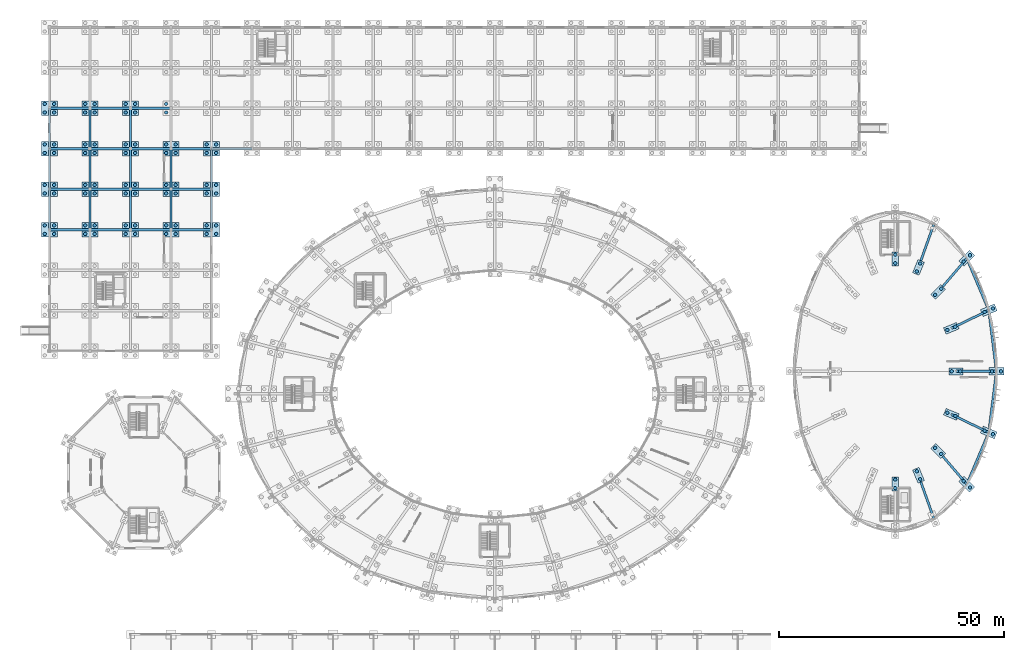
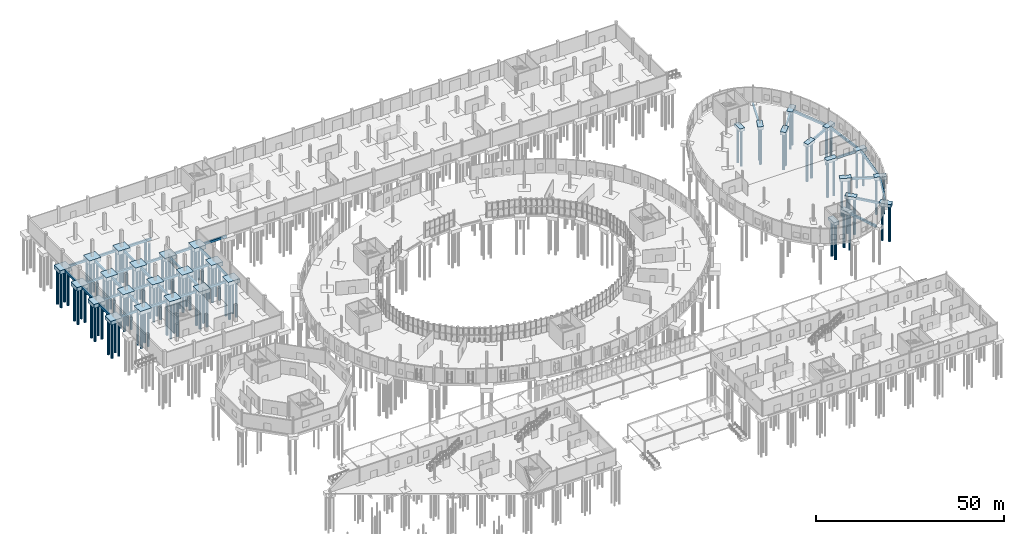
# One storey, part 9 of 118: 102 piles, 72 footings.
"""IFC4 building model written with IfcOpenShell, lengths in metres."""

from ifc_helpers import new_model, si_unit, direction, frame, origin, origin_2d, place, context, subcontext, project, spatial, rectangle, circle, extrude, material, material_profile, profile_set, type_object, element, save


model = new_model("IFC4")

# Units and contexts
model_context = context("Model", 3, precision=1e-05, world=origin(), true_north=direction((0.0, 1.0)))
body_context = subcontext(model_context, "Body", "Model", "MODEL_VIEW")
ifc_project = project(units=[si_unit("LENGTHUNIT", "METRE"), si_unit("AREAUNIT", "SQUARE_METRE"), si_unit("VOLUMEUNIT", "CUBIC_METRE"), si_unit("PLANEANGLEUNIT", "RADIAN"), si_unit("MASSUNIT", "GRAM", prefix="KILO")], contexts=[model_context])

# Site, building, storey
site_placement = place(None, origin())
site = spatial("IfcSite", under=ifc_project, at=site_placement, CompositionType="ELEMENT")
building_placement = place(site_placement, origin())
building = spatial("IfcBuilding", under=site, at=building_placement, Name="Kildeholm Park Wholesale Market", CompositionType="ELEMENT")
storey_placement = place(building_placement, origin())
storey = spatial("IfcBuildingStorey", under=building, at=storey_placement, Name="L00", CompositionType="ELEMENT", Elevation=0.0)

# Piles
ifc_material = material(Name="Concrete C35/45", Category="concrete")
ifc_material_profile_1 = material_profile(ifc_material, circle(Radius=0.375, at=origin_2d()), Name="PILE D750")
ifc_profile_set_1 = profile_set([ifc_material_profile_1], Name="Concrete C35/45")
pile_type = type_object("IfcPileType", Name="Bored pile 750 mm", PredefinedType="BORED", material=ifc_profile_set_1)
for number, where, z_axis, x_axis, name in (
    (1, (200.550048828125, 94.5, -0.89990234375), (0.0, 0.0, -1.0), (1.0, 0.0, 0.0), "Bored pile V2-IN-00.1 PIL-0313"),
    (2, (202.449951171875, 94.5, -0.89990234375), (0.0, 0.0, -1.0), (1.0, 0.0, 0.0), "Bored pile V2-IN-00.2 PIL-0314"),
):
    element("IfcPile", number, at=place(storey_placement, frame(where, z_axis=z_axis, x_axis=x_axis)), inside=storey, type_object=pile_type, Name=name, PredefinedType="BORED", context=body_context, shape_type="SweptSolid", body=[
        extrude(circle(Radius=0.375, at=origin_2d()), origin(), (0.0, 0.0, 1.0), 11.60009765625),
    ])
for number, where, z_axis, x_axis, name in (
    (3, (209.5, 94.5, -0.949951171875), (0.0, 0.0, -1.0), (1.0, 0.0, 0.0), "Bored pile V2-OT-00.1 PIL-0315"),
    (4, (211.5, 94.5, -0.949951171875), (0.0, 0.0, -1.0), (1.0, 0.0, 0.0), "Bored pile V2-OT-00.2 PIL-0316"),
):
    element("IfcPile", number, at=place(storey_placement, frame(where, z_axis=z_axis, x_axis=x_axis)), inside=storey, type_object=pile_type, Name=name, PredefinedType="BORED", context=body_context, shape_type="SweptSolid", body=[
        extrude(circle(Radius=0.375, at=origin_2d()), origin(), (0.0, 0.0, 1.0), 11.550048828125),
    ])
for number, where, z_axis, x_axis, name in (
    (5, (199.59423828125, 103.70361328125, -0.89990234375), (0.0, 0.0, -1.0), (1.0, 0.0, 0.0), "Bored pile V2-IN-01.1 PIL-0317"),
    (6, (201.349609375, 104.430419921875, -0.89990234375), (0.0, 0.0, -1.0), (1.0, 0.0, 0.0), "Bored pile V2-IN-01.2 PIL-0318"),
):
    element("IfcPile", number, at=place(storey_placement, frame(where, z_axis=z_axis, x_axis=x_axis)), inside=storey, type_object=pile_type, Name=name, PredefinedType="BORED", context=body_context, shape_type="SweptSolid", body=[
        extrude(circle(Radius=0.375, at=origin_2d()), origin(), (0.0, 0.0, 1.0), 11.60009765625),
    ])
for number, where, z_axis, x_axis, name in (
    (7, (207.863037109375, 107.702392578125, -0.949951171875), (0.0, 0.0, -1.0), (1.0, 0.0, 0.0), "Bored pile V2-OT-01.1 PIL-0319"),
    (8, (209.7109375, 108.4677734375, -0.949951171875), (0.0, 0.0, -1.0), (1.0, 0.0, 0.0), "Bored pile V2-OT-01.2 PIL-0320"),
):
    element("IfcPile", number, at=place(storey_placement, frame(where, z_axis=z_axis, x_axis=x_axis)), inside=storey, type_object=pile_type, Name=name, PredefinedType="BORED", context=body_context, shape_type="SweptSolid", body=[
        extrude(circle(Radius=0.375, at=origin_2d()), origin(), (0.0, 0.0, 1.0), 11.550048828125),
    ])
for number, where, z_axis, x_axis, name in (
    (9, (196.874267578125, 111.506103515625, -0.89990234375), (0.0, 0.0, -1.0), (1.0, 0.0, 0.0), "Bored pile V2-IN-02.1 PIL-0321"),
    (10, (198.2177734375, 112.849853515625, -0.89990234375), (0.0, 0.0, -1.0), (1.0, 0.0, 0.0), "Bored pile V2-IN-02.2 PIL-0322"),
):
    element("IfcPile", number, at=place(storey_placement, frame(where, z_axis=z_axis, x_axis=x_axis)), inside=storey, type_object=pile_type, Name=name, PredefinedType="BORED", context=body_context, shape_type="SweptSolid", body=[
        extrude(circle(Radius=0.375, at=origin_2d()), origin(), (0.0, 0.0, 1.0), 11.60009765625),
    ])
for number, where, z_axis, x_axis, name in (
    (11, (203.202880859375, 118.89501953125, -0.949951171875), (0.0, 0.0, -1.0), (1.0, 0.0, 0.0), "Bored pile V2-OT-02.1 PIL-0323"),
    (12, (204.6171875, 120.30908203125, -0.949951171875), (0.0, 0.0, -1.0), (1.0, 0.0, 0.0), "Bored pile V2-OT-02.2 PIL-0324"),
):
    element("IfcPile", number, at=place(storey_placement, frame(where, z_axis=z_axis, x_axis=x_axis)), inside=storey, type_object=pile_type, Name=name, PredefinedType="BORED", context=body_context, shape_type="SweptSolid", body=[
        extrude(circle(Radius=0.375, at=origin_2d()), origin(), (0.0, 0.0, 1.0), 11.550048828125),
    ])
for number, where, z_axis, x_axis, name in (
    (13, (192.802490234375, 116.71923828125, -0.89990234375), (0.0, 0.0, -1.0), (1.0, 0.0, 0.0), "Bored pile V2-IN-03.1 PIL-0325"),
    (14, (193.529541015625, 118.474609375, -0.89990234375), (0.0, 0.0, -1.0), (1.0, 0.0, 0.0), "Bored pile V2-IN-03.2 PIL-0326"),
    (15, (188.0, 118.550048828125, -0.89990234375), (0.0, 0.0, -1.0), (1.0, 0.0, 0.0), "Bored pile V2-IN-04.1 PIL-0329"),
    (16, (188.0, 120.449951171875, -0.89990234375), (0.0, 0.0, -1.0), (1.0, 0.0, 0.0), "Bored pile V2-IN-04.2 PIL-0330"),
    (17, (188.0, 70.449951171875, -0.89990234375), (0.0, 0.0, -1.0), (1.0, 0.0, 0.0), "Bored pile V2-IN-12.1 PIL-0361"),
    (18, (188.0, 68.550048828125, -0.89990234375), (0.0, 0.0, -1.0), (1.0, 0.0, 0.0), "Bored pile V2-IN-12.2 PIL-0362"),
    (19, (192.802490234375, 72.28076171875, -0.89990234375), (0.0, 0.0, -1.0), (1.0, 0.0, 0.0), "Bored pile V2-IN-13.1 PIL-0365"),
    (20, (193.529541015625, 70.525390625, -0.89990234375), (0.0, 0.0, -1.0), (1.0, 0.0, 0.0), "Bored pile V2-IN-13.2 PIL-0366"),
    (21, (196.874267578125, 77.493896484375, -0.89990234375), (0.0, 0.0, -1.0), (1.0, 0.0, 0.0), "Bored pile V2-IN-14.1 PIL-0369"),
    (22, (198.2177734375, 76.150146484375, -0.89990234375), (0.0, 0.0, -1.0), (1.0, 0.0, 0.0), "Bored pile V2-IN-14.2 PIL-0370"),
):
    element("IfcPile", number, at=place(storey_placement, frame(where, z_axis=z_axis, x_axis=x_axis)), inside=storey, type_object=pile_type, Name=name, PredefinedType="BORED", context=body_context, shape_type="SweptSolid", body=[
        extrude(circle(Radius=0.375, at=origin_2d()), origin(), (0.0, 0.0, 1.0), 11.60009765625),
    ])
for number, where, z_axis, x_axis, name in (
    (23, (203.202880859375, 70.10498046875, -0.949951171875), (0.0, 0.0, -1.0), (1.0, 0.0, 0.0), "Bored pile V2-OT-14.1 PIL-0371"),
    (24, (204.6171875, 68.69091796875, -0.949951171875), (0.0, 0.0, -1.0), (1.0, 0.0, 0.0), "Bored pile V2-OT-14.2 PIL-0372"),
):
    element("IfcPile", number, at=place(storey_placement, frame(where, z_axis=z_axis, x_axis=x_axis)), inside=storey, type_object=pile_type, Name=name, PredefinedType="BORED", context=body_context, shape_type="SweptSolid", body=[
        extrude(circle(Radius=0.375, at=origin_2d()), origin(), (0.0, 0.0, 1.0), 11.550048828125),
    ])
for number, where, z_axis, x_axis, name in (
    (25, (199.59423828125, 85.29638671875, -0.89990234375), (0.0, 0.0, -1.0), (1.0, 0.0, 0.0), "Bored pile V2-IN-15.1 PIL-0373"),
    (26, (201.349609375, 84.569580078125, -0.89990234375), (0.0, 0.0, -1.0), (1.0, 0.0, 0.0), "Bored pile V2-IN-15.2 PIL-0374"),
):
    element("IfcPile", number, at=place(storey_placement, frame(where, z_axis=z_axis, x_axis=x_axis)), inside=storey, type_object=pile_type, Name=name, PredefinedType="BORED", context=body_context, shape_type="SweptSolid", body=[
        extrude(circle(Radius=0.375, at=origin_2d()), origin(), (0.0, 0.0, 1.0), 11.60009765625),
    ])
for number, where, z_axis, x_axis, name in (
    (27, (207.863037109375, 81.297607421875, -0.949951171875), (0.0, 0.0, -1.0), (1.0, 0.0, 0.0), "Bored pile V2-OT-15.1 PIL-0375"),
    (28, (209.7109375, 80.5322265625, -0.949951171875), (0.0, 0.0, -1.0), (1.0, 0.0, 0.0), "Bored pile V2-OT-15.2 PIL-0376"),
):
    element("IfcPile", number, at=place(storey_placement, frame(where, z_axis=z_axis, x_axis=x_axis)), inside=storey, type_object=pile_type, Name=name, PredefinedType="BORED", context=body_context, shape_type="SweptSolid", body=[
        extrude(circle(Radius=0.375, at=origin_2d()), origin(), (0.0, 0.0, 1.0), 11.550048828125),
    ])
for number, where, z_axis, x_axis, name in (
    (29, (-1.050048828125, 125.050048828125, -1.14990234375), (0.0, 0.0, -1.0), (1.0, 0.0, 0.0), "Bored pile V4-000-126.1 PIL-0437"),
    (30, (1.050048828125, 125.050048828125, -1.14990234375), (0.0, 0.0, -1.0), (1.0, 0.0, 0.0), "Bored pile V4-000-126.2 PIL-0438"),
    (31, (-1.050048828125, 126.949951171875, -1.14990234375), (0.0, 0.0, -1.0), (1.0, 0.0, 0.0), "Bored pile V4-000-126.3 PIL-0439"),
    (32, (1.050048828125, 126.949951171875, -1.14990234375), (0.0, 0.0, -1.0), (1.0, 0.0, 0.0), "Bored pile V4-000-126.4 PIL-0440"),
    (33, (-1.050048828125, 134.050048828125, -1.14990234375), (0.0, 0.0, -1.0), (1.0, 0.0, 0.0), "Bored pile V4-000-135.1 PIL-0441"),
    (34, (1.050048828125, 134.050048828125, -1.14990234375), (0.0, 0.0, -1.0), (1.0, 0.0, 0.0), "Bored pile V4-000-135.2 PIL-0442"),
    (35, (-1.050048828125, 135.949951171875, -1.14990234375), (0.0, 0.0, -1.0), (1.0, 0.0, 0.0), "Bored pile V4-000-135.3 PIL-0443"),
    (36, (1.050048828125, 135.949951171875, -1.14990234375), (0.0, 0.0, -1.0), (1.0, 0.0, 0.0), "Bored pile V4-000-135.4 PIL-0444"),
    (37, (-1.050048828125, 143.050048828125, -1.14990234375), (0.0, 0.0, -1.0), (1.0, 0.0, 0.0), "Bored pile V4-000-144.1 PIL-0445"),
    (38, (1.050048828125, 143.050048828125, -1.14990234375), (0.0, 0.0, -1.0), (1.0, 0.0, 0.0), "Bored pile V4-000-144.2 PIL-0446"),
    (39, (-1.050048828125, 144.949951171875, -1.14990234375), (0.0, 0.0, -1.0), (1.0, 0.0, 0.0), "Bored pile V4-000-144.3 PIL-0447"),
    (40, (1.050048828125, 144.949951171875, -1.14990234375), (0.0, 0.0, -1.0), (1.0, 0.0, 0.0), "Bored pile V4-000-144.4 PIL-0448"),
    (41, (-1.050048828125, 152.050048828125, -1.14990234375), (0.0, 0.0, -1.0), (1.0, 0.0, 0.0), "Bored pile V4-000-153.1 PIL-0449"),
    (42, (1.050048828125, 152.050048828125, -1.14990234375), (0.0, 0.0, -1.0), (1.0, 0.0, 0.0), "Bored pile V4-000-153.2 PIL-0450"),
    (43, (-1.050048828125, 153.949951171875, -1.14990234375), (0.0, 0.0, -1.0), (1.0, 0.0, 0.0), "Bored pile V4-000-153.3 PIL-0451"),
    (44, (1.050048828125, 153.949951171875, -1.14990234375), (0.0, 0.0, -1.0), (1.0, 0.0, 0.0), "Bored pile V4-000-153.4 PIL-0452"),
    (45, (7.949951171875, 125.050048828125, -1.14990234375), (0.0, 0.0, -1.0), (1.0, 0.0, 0.0), "Bored pile V4-009-126.1 PIL-0473"),
    (46, (10.050048828125, 125.050048828125, -1.14990234375), (0.0, 0.0, -1.0), (1.0, 0.0, 0.0), "Bored pile V4-009-126.2 PIL-0474"),
    (47, (7.949951171875, 126.949951171875, -1.14990234375), (0.0, 0.0, -1.0), (1.0, 0.0, 0.0), "Bored pile V4-009-126.3 PIL-0475"),
    (48, (10.050048828125, 126.949951171875, -1.14990234375), (0.0, 0.0, -1.0), (1.0, 0.0, 0.0), "Bored pile V4-009-126.4 PIL-0476"),
    (49, (7.949951171875, 134.050048828125, -1.14990234375), (0.0, 0.0, -1.0), (1.0, 0.0, 0.0), "Bored pile V4-009-135.1 PIL-0477"),
    (50, (10.050048828125, 134.050048828125, -1.14990234375), (0.0, 0.0, -1.0), (1.0, 0.0, 0.0), "Bored pile V4-009-135.2 PIL-0478"),
    (51, (7.949951171875, 135.949951171875, -1.14990234375), (0.0, 0.0, -1.0), (1.0, 0.0, 0.0), "Bored pile V4-009-135.3 PIL-0479"),
    (52, (10.050048828125, 135.949951171875, -1.14990234375), (0.0, 0.0, -1.0), (1.0, 0.0, 0.0), "Bored pile V4-009-135.4 PIL-0480"),
    (53, (7.949951171875, 143.050048828125, -1.14990234375), (0.0, 0.0, -1.0), (1.0, 0.0, 0.0), "Bored pile V4-009-144.1 PIL-0481"),
    (54, (10.050048828125, 143.050048828125, -1.14990234375), (0.0, 0.0, -1.0), (1.0, 0.0, 0.0), "Bored pile V4-009-144.2 PIL-0482"),
    (55, (7.949951171875, 144.949951171875, -1.14990234375), (0.0, 0.0, -1.0), (1.0, 0.0, 0.0), "Bored pile V4-009-144.3 PIL-0483"),
    (56, (10.050048828125, 144.949951171875, -1.14990234375), (0.0, 0.0, -1.0), (1.0, 0.0, 0.0), "Bored pile V4-009-144.4 PIL-0484"),
    (57, (7.949951171875, 152.050048828125, -1.14990234375), (0.0, 0.0, -1.0), (1.0, 0.0, 0.0), "Bored pile V4-009-153.1 PIL-0485"),
    (58, (10.050048828125, 152.050048828125, -1.14990234375), (0.0, 0.0, -1.0), (1.0, 0.0, 0.0), "Bored pile V4-009-153.2 PIL-0486"),
    (59, (7.949951171875, 153.949951171875, -1.14990234375), (0.0, 0.0, -1.0), (1.0, 0.0, 0.0), "Bored pile V4-009-153.3 PIL-0487"),
    (60, (10.050048828125, 153.949951171875, -1.14990234375), (0.0, 0.0, -1.0), (1.0, 0.0, 0.0), "Bored pile V4-009-153.4 PIL-0488"),
    (61, (16.949951171875, 125.050048828125, -1.14990234375), (0.0, 0.0, -1.0), (1.0, 0.0, 0.0), "Bored pile V4-018-126.1 PIL-0509"),
    (62, (19.050048828125, 125.050048828125, -1.14990234375), (0.0, 0.0, -1.0), (1.0, 0.0, 0.0), "Bored pile V4-018-126.2 PIL-0510"),
    (63, (16.949951171875, 126.949951171875, -1.14990234375), (0.0, 0.0, -1.0), (1.0, 0.0, 0.0), "Bored pile V4-018-126.3 PIL-0511"),
    (64, (19.050048828125, 126.949951171875, -1.14990234375), (0.0, 0.0, -1.0), (1.0, 0.0, 0.0), "Bored pile V4-018-126.4 PIL-0512"),
    (65, (16.949951171875, 134.050048828125, -1.14990234375), (0.0, 0.0, -1.0), (1.0, 0.0, 0.0), "Bored pile V4-018-135.1 PIL-0513"),
    (66, (19.050048828125, 134.050048828125, -1.14990234375), (0.0, 0.0, -1.0), (1.0, 0.0, 0.0), "Bored pile V4-018-135.2 PIL-0514"),
    (67, (16.949951171875, 135.949951171875, -1.14990234375), (0.0, 0.0, -1.0), (1.0, 0.0, 0.0), "Bored pile V4-018-135.3 PIL-0515"),
    (68, (19.050048828125, 135.949951171875, -1.14990234375), (0.0, 0.0, -1.0), (1.0, 0.0, 0.0), "Bored pile V4-018-135.4 PIL-0516"),
    (69, (16.949951171875, 143.050048828125, -1.14990234375), (0.0, 0.0, -1.0), (1.0, 0.0, 0.0), "Bored pile V4-018-144.1 PIL-0517"),
    (70, (19.050048828125, 143.050048828125, -1.14990234375), (0.0, 0.0, -1.0), (1.0, 0.0, 0.0), "Bored pile V4-018-144.2 PIL-0518"),
    (71, (16.949951171875, 144.949951171875, -1.14990234375), (0.0, 0.0, -1.0), (1.0, 0.0, 0.0), "Bored pile V4-018-144.3 PIL-0519"),
    (72, (19.050048828125, 144.949951171875, -1.14990234375), (0.0, 0.0, -1.0), (1.0, 0.0, 0.0), "Bored pile V4-018-144.4 PIL-0520"),
    (73, (16.949951171875, 152.050048828125, -1.14990234375), (0.0, 0.0, -1.0), (1.0, 0.0, 0.0), "Bored pile V4-018-153.1 PIL-0521"),
    (74, (19.050048828125, 152.050048828125, -1.14990234375), (0.0, 0.0, -1.0), (1.0, 0.0, 0.0), "Bored pile V4-018-153.2 PIL-0522"),
    (75, (16.949951171875, 153.949951171875, -1.14990234375), (0.0, 0.0, -1.0), (1.0, 0.0, 0.0), "Bored pile V4-018-153.3 PIL-0523"),
    (76, (19.050048828125, 153.949951171875, -1.14990234375), (0.0, 0.0, -1.0), (1.0, 0.0, 0.0), "Bored pile V4-018-153.4 PIL-0524"),
    (77, (25.949951171875, 125.050048828125, -1.14990234375), (0.0, 0.0, -1.0), (1.0, 0.0, 0.0), "Bored pile V4-027-126.1 PIL-0545"),
    (78, (28.050048828125, 125.050048828125, -1.14990234375), (0.0, 0.0, -1.0), (1.0, 0.0, 0.0), "Bored pile V4-027-126.2 PIL-0546"),
    (79, (25.949951171875, 126.949951171875, -1.14990234375), (0.0, 0.0, -1.0), (1.0, 0.0, 0.0), "Bored pile V4-027-126.3 PIL-0547"),
    (80, (28.050048828125, 126.949951171875, -1.14990234375), (0.0, 0.0, -1.0), (1.0, 0.0, 0.0), "Bored pile V4-027-126.4 PIL-0548"),
    (81, (25.949951171875, 134.050048828125, -1.14990234375), (0.0, 0.0, -1.0), (1.0, 0.0, 0.0), "Bored pile V4-027-135.1 PIL-0549"),
    (82, (28.050048828125, 134.050048828125, -1.14990234375), (0.0, 0.0, -1.0), (1.0, 0.0, 0.0), "Bored pile V4-027-135.2 PIL-0550"),
    (83, (25.949951171875, 135.949951171875, -1.14990234375), (0.0, 0.0, -1.0), (1.0, 0.0, 0.0), "Bored pile V4-027-135.3 PIL-0551"),
    (84, (28.050048828125, 135.949951171875, -1.14990234375), (0.0, 0.0, -1.0), (1.0, 0.0, 0.0), "Bored pile V4-027-135.4 PIL-0552"),
    (85, (25.949951171875, 143.050048828125, -1.14990234375), (0.0, 0.0, -1.0), (1.0, 0.0, 0.0), "Bored pile V4-027-144.1 PIL-0553"),
    (86, (28.050048828125, 143.050048828125, -1.14990234375), (0.0, 0.0, -1.0), (1.0, 0.0, 0.0), "Bored pile V4-027-144.2 PIL-0554"),
    (87, (25.949951171875, 144.949951171875, -1.14990234375), (0.0, 0.0, -1.0), (1.0, 0.0, 0.0), "Bored pile V4-027-144.3 PIL-0555"),
    (88, (28.050048828125, 144.949951171875, -1.14990234375), (0.0, 0.0, -1.0), (1.0, 0.0, 0.0), "Bored pile V4-027-144.4 PIL-0556"),
    (89, (25.949951171875, 152.050048828125, -1.14990234375), (0.0, 0.0, -1.0), (1.0, 0.0, 0.0), "Bored pile V4-027-153.1 PIL-0557"),
    (90, (25.949951171875, 153.949951171875, -1.14990234375), (0.0, 0.0, -1.0), (1.0, 0.0, 0.0), "Bored pile V4-027-153.3 PIL-0559"),
    (91, (34.949951171875, 125.050048828125, -1.14990234375), (0.0, 0.0, -1.0), (1.0, 0.0, 0.0), "Bored pile V4-036-126.1 PIL-0581"),
    (92, (37.050048828125, 125.050048828125, -1.14990234375), (0.0, 0.0, -1.0), (1.0, 0.0, 0.0), "Bored pile V4-036-126.2 PIL-0582"),
    (93, (34.949951171875, 126.949951171875, -1.14990234375), (0.0, 0.0, -1.0), (1.0, 0.0, 0.0), "Bored pile V4-036-126.3 PIL-0583"),
    (94, (37.050048828125, 126.949951171875, -1.14990234375), (0.0, 0.0, -1.0), (1.0, 0.0, 0.0), "Bored pile V4-036-126.4 PIL-0584"),
    (95, (34.949951171875, 134.050048828125, -1.14990234375), (0.0, 0.0, -1.0), (1.0, 0.0, 0.0), "Bored pile V4-036-135.1 PIL-0585"),
    (96, (37.050048828125, 134.050048828125, -1.14990234375), (0.0, 0.0, -1.0), (1.0, 0.0, 0.0), "Bored pile V4-036-135.2 PIL-0586"),
    (97, (34.949951171875, 135.949951171875, -1.14990234375), (0.0, 0.0, -1.0), (1.0, 0.0, 0.0), "Bored pile V4-036-135.3 PIL-0587"),
    (98, (37.050048828125, 135.949951171875, -1.14990234375), (0.0, 0.0, -1.0), (1.0, 0.0, 0.0), "Bored pile V4-036-135.4 PIL-0588"),
    (99, (34.949951171875, 143.050048828125, -1.14990234375), (0.0, 0.0, -1.0), (1.0, 0.0, 0.0), "Bored pile V4-036-144.1 PIL-0589"),
    (100, (37.050048828125, 143.050048828125, -1.14990234375), (0.0, 0.0, -1.0), (1.0, 0.0, 0.0), "Bored pile V4-036-144.2 PIL-0590"),
    (101, (34.949951171875, 144.949951171875, -1.14990234375), (0.0, 0.0, -1.0), (1.0, 0.0, 0.0), "Bored pile V4-036-144.3 PIL-0591"),
    (102, (37.050048828125, 144.949951171875, -1.14990234375), (0.0, 0.0, -1.0), (1.0, 0.0, 0.0), "Bored pile V4-036-144.4 PIL-0592"),
):
    element("IfcPile", number, at=place(storey_placement, frame(where, z_axis=z_axis, x_axis=x_axis)), inside=storey, type_object=pile_type, Name=name, PredefinedType="BORED", context=body_context, shape_type="SweptSolid", body=[
        extrude(circle(Radius=0.375, at=origin_2d()), origin(), (0.0, 0.0, 1.0), 11.35009765625),
    ])

# Footings
ifc_material_profile_2 = material_profile(ifc_material, rectangle(XDim=0.5, YDim=0.699951171875, at=origin_2d()), Name="FB 500x700")
ifc_profile_set_2 = profile_set([ifc_material_profile_2], Name="Concrete C35/45")
footing_type_1 = type_object("IfcFootingType", Name="Ground tie beam GB-1 FB 500x700", PredefinedType="FOOTING_BEAM", material=ifc_profile_set_2)
footing_1_placement = place(storey_placement, frame((201.5, 94.5, -0.64990234375), z_axis=(1.0, 0.0, 0.0), x_axis=(0.0, 1.0, 0.0)))
element("IfcFooting", 103, at=footing_1_placement, inside=storey, type_object=footing_type_1, Name="Ground tie beam GB-V2-RAD-00 FTG-0195", PredefinedType="FOOTING_BEAM", context=body_context, shape_type="SweptSolid", body=[
    extrude(rectangle(XDim=0.5, YDim=0.699951171875, at=origin_2d()), origin(), (0.0, 0.0, 1.0), 9.0),
])
footing_2_placement = place(storey_placement, frame((210.5, 94.5, -0.64990234375), z_axis=(-0.125096795787, 0.99214454173, 0.0), x_axis=(-0.99214454173, -0.125096795787, 0.0)))
element("IfcFooting", 104, at=footing_2_placement, inside=storey, type_object=footing_type_1, Name="Ground tie beam GB-V2-COT-00 FTG-0196", PredefinedType="FOOTING_BEAM", context=body_context, shape_type="SweptSolid", body=[
    extrude(rectangle(XDim=0.5, YDim=0.699951171875, at=origin_2d()), origin(), (0.0, 0.0, 1.0), 13.692626953125),
])
footing_3_placement = place(storey_placement, frame((200.471923828125, 104.06689453125, -0.64990234375), z_axis=(0.900388826514, 0.435086153639, 0.0), x_axis=(-0.435086153639, 0.900388826514, 0.0)))
element("IfcFooting", 105, at=footing_3_placement, inside=storey, type_object=footing_type_1, Name="Ground tie beam GB-V2-RAD-01 FTG-0199", PredefinedType="FOOTING_BEAM", context=body_context, shape_type="SweptSolid", body=[
    extrude(rectangle(XDim=0.5, YDim=0.699951171875, at=origin_2d()), origin(), (0.0, 0.0, 1.0), 9.235107421875),
])
footing_4_placement = place(storey_placement, frame((208.787109375, 108.0849609375, -0.64990234375), z_axis=(-0.389950720924, 0.920835726528, 0.0), x_axis=(-0.920835726528, -0.389950720924, 0.0)))
element("IfcFooting", 106, at=footing_4_placement, inside=storey, type_object=footing_type_1, Name="Ground tie beam GB-V2-COT-01 FTG-0200", PredefinedType="FOOTING_BEAM", context=body_context, shape_type="SweptSolid", body=[
    extrude(rectangle(XDim=0.5, YDim=0.699951171875, at=origin_2d()), origin(), (0.0, 0.0, 1.0), 12.50732421875),
])
footing_5_placement = place(storey_placement, frame((197.5458984375, 112.177978515625, -0.64990234375), z_axis=(0.650822214859, 0.75923016579, 0.0), x_axis=(-0.75923016579, 0.650822214859, 0.0)))
element("IfcFooting", 107, at=footing_5_placement, inside=storey, type_object=footing_type_1, Name="Ground tie beam GB-V2-RAD-02 FTG-0203", PredefinedType="FOOTING_BEAM", context=body_context, shape_type="SweptSolid", body=[
    extrude(rectangle(XDim=0.5, YDim=0.699951171875, at=origin_2d()), origin(), (0.0, 0.0, 1.0), 9.7783203125),
])
for number, where, z_axis, x_axis, name in (
    (108, (193.166015625, 117.596923828125, -0.64990234375), (0.334560005007, 0.942374449489, 0.0), (-0.942374449489, 0.334560005007, 0.0), "Ground tie beam GB-V2-RAD-03 FTG-0207"),
    (109, (193.166015625, 71.403076171875, -0.64990234375), (0.334560005007, -0.942374449489, 0.0), (0.942374449489, 0.334560005007, 0.0), "Ground tie beam GB-V2-RAD-13 FTG-0247"),
):
    element("IfcFooting", number, at=place(storey_placement, frame(where, z_axis=z_axis, x_axis=x_axis)), inside=storey, type_object=footing_type_1, Name=name, PredefinedType="FOOTING_BEAM", context=body_context, shape_type="SweptSolid", body=[
        extrude(rectangle(XDim=0.5, YDim=0.699951171875, at=origin_2d()), origin(), (0.0, 0.0, 1.0), 10.29443359375),
    ])
footing_6_placement = place(storey_placement, frame((197.5458984375, 76.822021484375, -0.64990234375), z_axis=(0.650822214859, -0.75923016579, 0.0), x_axis=(0.75923016579, 0.650822214859, 0.0)))
element("IfcFooting", 110, at=footing_6_placement, inside=storey, type_object=footing_type_1, Name="Ground tie beam GB-V2-RAD-14 FTG-0251", PredefinedType="FOOTING_BEAM", context=body_context, shape_type="SweptSolid", body=[
    extrude(rectangle(XDim=0.5, YDim=0.699951171875, at=origin_2d()), origin(), (0.0, 0.0, 1.0), 9.7783203125),
])
footing_7_placement = place(storey_placement, frame((203.909912109375, 69.39794921875, -0.64990234375), z_axis=(0.389950720924, 0.920835726528, 0.0), x_axis=(-0.920835726528, 0.389950720924, 0.0)))
element("IfcFooting", 111, at=footing_7_placement, inside=storey, type_object=footing_type_1, Name="Ground tie beam GB-V2-COT-14 FTG-0252", PredefinedType="FOOTING_BEAM", context=body_context, shape_type="SweptSolid", body=[
    extrude(rectangle(XDim=0.5, YDim=0.699951171875, at=origin_2d()), origin(), (0.0, 0.0, 1.0), 12.50732421875),
])
footing_8_placement = place(storey_placement, frame((200.471923828125, 84.93310546875, -0.64990234375), z_axis=(0.900388826514, -0.435086153639, 0.0), x_axis=(0.435086153639, 0.900388826514, 0.0)))
element("IfcFooting", 112, at=footing_8_placement, inside=storey, type_object=footing_type_1, Name="Ground tie beam GB-V2-RAD-15 FTG-0255", PredefinedType="FOOTING_BEAM", context=body_context, shape_type="SweptSolid", body=[
    extrude(rectangle(XDim=0.5, YDim=0.699951171875, at=origin_2d()), origin(), (0.0, 0.0, 1.0), 9.235107421875),
])
footing_9_placement = place(storey_placement, frame((208.787109375, 80.9150390625, -0.64990234375), z_axis=(0.125096795787, 0.99214454173, 0.0), x_axis=(-0.99214454173, 0.125096795787, 0.0)))
element("IfcFooting", 113, at=footing_9_placement, inside=storey, type_object=footing_type_1, Name="Ground tie beam GB-V2-COT-15 FTG-0256", PredefinedType="FOOTING_BEAM", context=body_context, shape_type="SweptSolid", body=[
    extrude(rectangle(XDim=0.5, YDim=0.699951171875, at=origin_2d()), origin(), (0.0, 0.0, 1.0), 13.692626953125),
])
for number, where, z_axis, x_axis, name in (
    (114, (0.0, 126.0, -0.64990234375), (1.0, 0.0, 0.0), (0.0, 1.0, 0.0), "Ground tie beam GB-V4-X-000-126 FTG-0404"),
    (115, (0.0, 126.0, -0.64990234375), (0.0, 1.0, 0.0), (-1.0, 0.0, 0.0), "Ground tie beam GB-V4-Y-000-126 FTG-0405"),
    (116, (0.0, 135.0, -0.64990234375), (1.0, 0.0, 0.0), (0.0, 1.0, 0.0), "Ground tie beam GB-V4-X-000-135 FTG-0406"),
    (117, (0.0, 135.0, -0.64990234375), (0.0, 1.0, 0.0), (-1.0, 0.0, 0.0), "Ground tie beam GB-V4-Y-000-135 FTG-0407"),
    (118, (0.0, 144.0, -0.64990234375), (1.0, 0.0, 0.0), (0.0, 1.0, 0.0), "Ground tie beam GB-V4-X-000-144 FTG-0408"),
    (119, (0.0, 144.0, -0.64990234375), (0.0, 1.0, 0.0), (-1.0, 0.0, 0.0), "Ground tie beam GB-V4-Y-000-144 FTG-0409"),
    (120, (0.0, 153.0, -0.64990234375), (1.0, 0.0, 0.0), (0.0, 1.0, 0.0), "Ground tie beam GB-V4-X-000-153 FTG-0410"),
    (121, (9.0, 126.0, -0.64990234375), (1.0, 0.0, 0.0), (0.0, 1.0, 0.0), "Ground tie beam GB-V4-X-009-126 FTG-0421"),
    (122, (9.0, 126.0, -0.64990234375), (0.0, 1.0, 0.0), (-1.0, 0.0, 0.0), "Ground tie beam GB-V4-Y-009-126 FTG-0422"),
    (123, (9.0, 135.0, -0.64990234375), (1.0, 0.0, 0.0), (0.0, 1.0, 0.0), "Ground tie beam GB-V4-X-009-135 FTG-0423"),
    (124, (9.0, 135.0, -0.64990234375), (0.0, 1.0, 0.0), (-1.0, 0.0, 0.0), "Ground tie beam GB-V4-Y-009-135 FTG-0424"),
    (125, (9.0, 144.0, -0.64990234375), (1.0, 0.0, 0.0), (0.0, 1.0, 0.0), "Ground tie beam GB-V4-X-009-144 FTG-0425"),
    (126, (9.0, 144.0, -0.64990234375), (0.0, 1.0, 0.0), (-1.0, 0.0, 0.0), "Ground tie beam GB-V4-Y-009-144 FTG-0426"),
    (127, (9.0, 153.0, -0.64990234375), (1.0, 0.0, 0.0), (0.0, 1.0, 0.0), "Ground tie beam GB-V4-X-009-153 FTG-0427"),
    (128, (18.0, 126.0, -0.64990234375), (1.0, 0.0, 0.0), (0.0, 1.0, 0.0), "Ground tie beam GB-V4-X-018-126 FTG-0438"),
    (129, (18.0, 126.0, -0.64990234375), (0.0, 1.0, 0.0), (-1.0, 0.0, 0.0), "Ground tie beam GB-V4-Y-018-126 FTG-0439"),
    (130, (18.0, 135.0, -0.64990234375), (1.0, 0.0, 0.0), (0.0, 1.0, 0.0), "Ground tie beam GB-V4-X-018-135 FTG-0440"),
    (131, (18.0, 135.0, -0.64990234375), (0.0, 1.0, 0.0), (-1.0, 0.0, 0.0), "Ground tie beam GB-V4-Y-018-135 FTG-0441"),
    (132, (18.0, 144.0, -0.64990234375), (1.0, 0.0, 0.0), (0.0, 1.0, 0.0), "Ground tie beam GB-V4-X-018-144 FTG-0442"),
    (133, (18.0, 144.0, -0.64990234375), (0.0, 1.0, 0.0), (-1.0, 0.0, 0.0), "Ground tie beam GB-V4-Y-018-144 FTG-0443"),
    (134, (18.0, 153.0, -0.64990234375), (1.0, 0.0, 0.0), (0.0, 1.0, 0.0), "Ground tie beam GB-V4-X-018-153 FTG-0444"),
    (135, (27.0, 126.0, -0.64990234375), (1.0, 0.0, 0.0), (0.0, 1.0, 0.0), "Ground tie beam GB-V4-X-027-126 FTG-0455"),
    (136, (27.0, 126.0, -0.64990234375), (0.0, 1.0, 0.0), (-1.0, 0.0, 0.0), "Ground tie beam GB-V4-Y-027-126 FTG-0456"),
    (137, (27.0, 135.0, -0.64990234375), (1.0, 0.0, 0.0), (0.0, 1.0, 0.0), "Ground tie beam GB-V4-X-027-135 FTG-0457"),
    (138, (27.0, 135.0, -0.64990234375), (0.0, 1.0, 0.0), (-1.0, 0.0, 0.0), "Ground tie beam GB-V4-Y-027-135 FTG-0458"),
    (139, (27.0, 144.0, -0.64990234375), (1.0, 0.0, 0.0), (0.0, 1.0, 0.0), "Ground tie beam GB-V4-X-027-144 FTG-0459"),
    (140, (36.0, 126.0, -0.64990234375), (0.0, 1.0, 0.0), (-1.0, 0.0, 0.0), "Ground tie beam GB-V4-Y-036-126 FTG-0469"),
    (141, (36.0, 135.0, -0.64990234375), (0.0, 1.0, 0.0), (-1.0, 0.0, 0.0), "Ground tie beam GB-V4-Y-036-135 FTG-0470"),
    (142, (36.0, 144.0, -0.64990234375), (1.0, 0.0, 0.0), (0.0, 1.0, 0.0), "Ground tie beam GB-V4-X-036-144 FTG-0471"),
):
    element("IfcFooting", number, at=place(storey_placement, frame(where, z_axis=z_axis, x_axis=x_axis)), inside=storey, type_object=footing_type_1, Name=name, PredefinedType="FOOTING_BEAM", context=body_context, shape_type="SweptSolid", body=[
        extrude(rectangle(XDim=0.5, YDim=0.699951171875, at=origin_2d()), origin(), (0.0, 0.0, 1.0), 9.0),
    ])
footing_type_2 = type_object("IfcFootingType", Name="Pile cap PC-2B 3150x1550x1000", PredefinedType="PILE_CAP", material=ifc_material)
for number, where, z_axis, x_axis, name in (
    (143, (201.5, 94.5, -1.0), (0.0, 0.0, 1.0), (1.0, 0.0, 0.0), "Pile cap V2-IN-00 FTG-0193"),
    (144, (200.471923828125, 104.06689453125, -1.0), (0.0, 0.0, 1.0), (0.923879532511, 0.382683432365, 0.0), "Pile cap V2-IN-01 FTG-0197"),
    (145, (197.5458984375, 112.177978515625, -1.0), (0.0, 0.0, 1.0), (0.707106781187, 0.707106781187, 0.0), "Pile cap V2-IN-02 FTG-0201"),
    (146, (193.166015625, 117.596923828125, -1.0), (0.0, 0.0, 1.0), (0.382683432365, 0.923879532511, 0.0), "Pile cap V2-IN-03 FTG-0205"),
    (147, (188.0, 119.5, -1.0), (0.0, 0.0, 1.0), (0.0, 1.0, 0.0), "Pile cap V2-IN-04 FTG-0209"),
    (148, (188.0, 69.5, -1.0), (0.0, 0.0, 1.0), (0.0, -1.0, 0.0), "Pile cap V2-IN-12 FTG-0241"),
    (149, (193.166015625, 71.403076171875, -1.0), (0.0, 0.0, 1.0), (0.382683432365, -0.923879532511, 0.0), "Pile cap V2-IN-13 FTG-0245"),
    (150, (197.5458984375, 76.822021484375, -1.0), (0.0, 0.0, 1.0), (0.707106781187, -0.707106781187, 0.0), "Pile cap V2-IN-14 FTG-0249"),
    (151, (200.471923828125, 84.93310546875, -1.0), (0.0, 0.0, 1.0), (0.923879532511, -0.382683432365, 0.0), "Pile cap V2-IN-15 FTG-0253"),
):
    element("IfcFooting", number, at=place(storey_placement, frame(where, z_axis=z_axis, x_axis=x_axis)), inside=storey, type_object=footing_type_2, Name=name, PredefinedType="PILE_CAP", context=body_context, shape_type="SweptSolid", body=[
        extrude(rectangle(XDim=3.14990234375, YDim=1.550048828125, at=origin_2d()), origin(), (0.0, 0.0, 1.0), 1.0),
    ])
footing_type_3 = type_object("IfcFootingType", Name="Pile cap PC-2C 3350x1650x1050", PredefinedType="PILE_CAP", material=ifc_material)
for number, where, z_axis, x_axis, name in (
    (152, (210.5, 94.5, -1.0498046875), (0.0, 0.0, 1.0), (1.0, 0.0, 0.0), "Pile cap V2-OT-00 FTG-0194"),
    (153, (208.787109375, 108.0849609375, -1.0498046875), (0.0, 0.0, 1.0), (0.923879532511, 0.382683432365, 0.0), "Pile cap V2-OT-01 FTG-0198"),
    (154, (203.909912109375, 119.60205078125, -1.0498046875), (0.0, 0.0, 1.0), (0.707106781187, 0.707106781187, 0.0), "Pile cap V2-OT-02 FTG-0202"),
    (155, (203.909912109375, 69.39794921875, -1.0498046875), (0.0, 0.0, 1.0), (0.707106781187, -0.707106781187, 0.0), "Pile cap V2-OT-14 FTG-0250"),
    (156, (208.787109375, 80.9150390625, -1.0498046875), (0.0, 0.0, 1.0), (0.923879532511, -0.382683432365, 0.0), "Pile cap V2-OT-15 FTG-0254"),
):
    element("IfcFooting", number, at=place(storey_placement, frame(where, z_axis=z_axis, x_axis=x_axis)), inside=storey, type_object=footing_type_3, Name=name, PredefinedType="PILE_CAP", context=body_context, shape_type="SweptSolid", body=[
        extrude(rectangle(XDim=3.35009765625, YDim=1.64990234375, at=origin_2d()), origin(), (0.0, 0.0, 1.0), 1.050048828125),
    ])
footing_type_4 = type_object("IfcFootingType", Name="Pile cap PC-4D 3550x3200x1250", PredefinedType="PILE_CAP", material=ifc_material)
for number, where, z_axis, x_axis, name in (
    (157, (0.0, 126.0, -1.25), (0.0, 0.0, 1.0), (1.0, 0.0, 0.0), "Pile cap V4-000-126 FTG-0292"),
    (158, (0.0, 135.0, -1.25), (0.0, 0.0, 1.0), (1.0, 0.0, 0.0), "Pile cap V4-000-135 FTG-0293"),
    (159, (0.0, 144.0, -1.25), (0.0, 0.0, 1.0), (1.0, 0.0, 0.0), "Pile cap V4-000-144 FTG-0294"),
    (160, (0.0, 153.0, -1.25), (0.0, 0.0, 1.0), (1.0, 0.0, 0.0), "Pile cap V4-000-153 FTG-0295"),
    (161, (9.0, 126.0, -1.25), (0.0, 0.0, 1.0), (1.0, 0.0, 0.0), "Pile cap V4-009-126 FTG-0301"),
    (162, (9.0, 135.0, -1.25), (0.0, 0.0, 1.0), (1.0, 0.0, 0.0), "Pile cap V4-009-135 FTG-0302"),
    (163, (9.0, 144.0, -1.25), (0.0, 0.0, 1.0), (1.0, 0.0, 0.0), "Pile cap V4-009-144 FTG-0303"),
    (164, (9.0, 153.0, -1.25), (0.0, 0.0, 1.0), (1.0, 0.0, 0.0), "Pile cap V4-009-153 FTG-0304"),
    (165, (18.0, 126.0, -1.25), (0.0, 0.0, 1.0), (1.0, 0.0, 0.0), "Pile cap V4-018-126 FTG-0310"),
    (166, (18.0, 135.0, -1.25), (0.0, 0.0, 1.0), (1.0, 0.0, 0.0), "Pile cap V4-018-135 FTG-0311"),
    (167, (18.0, 144.0, -1.25), (0.0, 0.0, 1.0), (1.0, 0.0, 0.0), "Pile cap V4-018-144 FTG-0312"),
    (168, (18.0, 153.0, -1.25), (0.0, 0.0, 1.0), (1.0, 0.0, 0.0), "Pile cap V4-018-153 FTG-0313"),
    (169, (27.0, 126.0, -1.25), (0.0, 0.0, 1.0), (1.0, 0.0, 0.0), "Pile cap V4-027-126 FTG-0319"),
    (170, (27.0, 135.0, -1.25), (0.0, 0.0, 1.0), (1.0, 0.0, 0.0), "Pile cap V4-027-135 FTG-0320"),
    (171, (27.0, 144.0, -1.25), (0.0, 0.0, 1.0), (1.0, 0.0, 0.0), "Pile cap V4-027-144 FTG-0321"),
    (172, (36.0, 126.0, -1.25), (0.0, 0.0, 1.0), (1.0, 0.0, 0.0), "Pile cap V4-036-126 FTG-0328"),
    (173, (36.0, 135.0, -1.25), (0.0, 0.0, 1.0), (1.0, 0.0, 0.0), "Pile cap V4-036-135 FTG-0329"),
    (174, (36.0, 144.0, -1.25), (0.0, 0.0, 1.0), (1.0, 0.0, 0.0), "Pile cap V4-036-144 FTG-0330"),
):
    element("IfcFooting", number, at=place(storey_placement, frame(where, z_axis=z_axis, x_axis=x_axis)), inside=storey, type_object=footing_type_4, Name=name, PredefinedType="PILE_CAP", context=body_context, shape_type="SweptSolid", body=[
        extrude(rectangle(XDim=3.550048828125, YDim=3.199951171875, at=origin_2d()), origin(), (0.0, 0.0, 1.0), 1.25),
    ])

save(model, "model.ifc")
